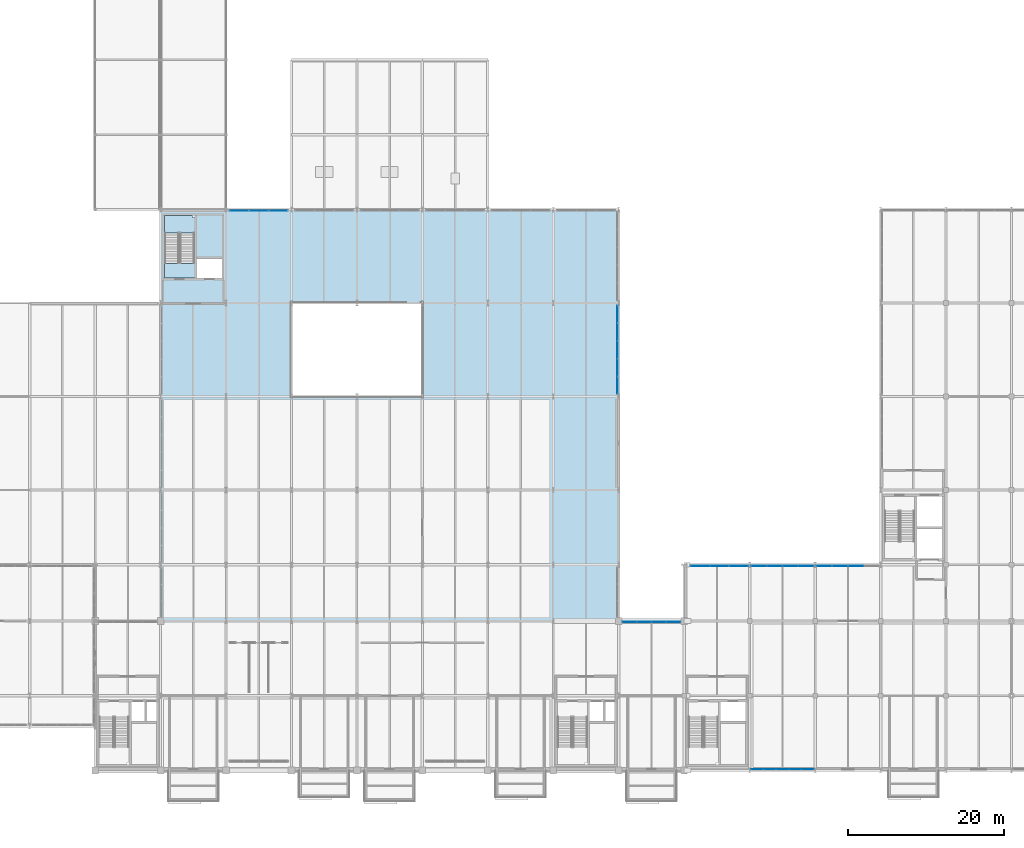
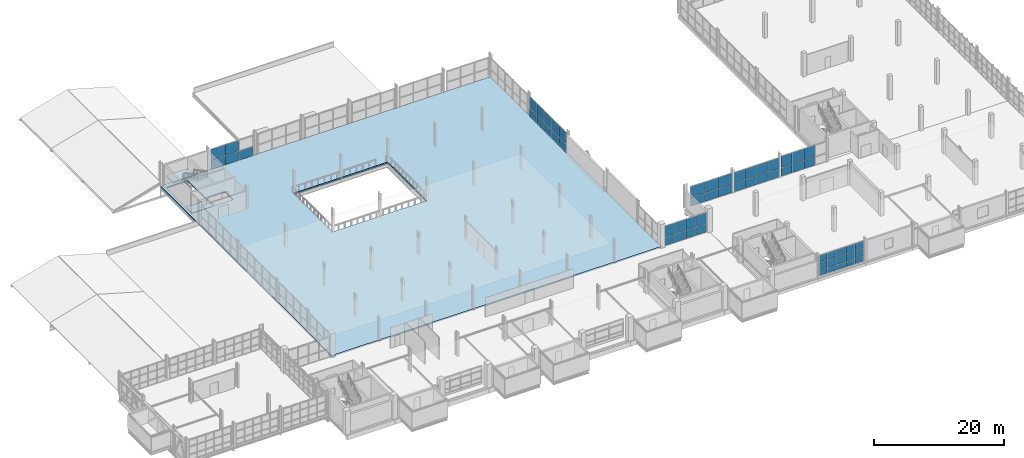
# One storey, part 108 of 130: 58 plates, 3 slabs, 8 elements without a shape of their own.
"""IFC4 building model written with IfcOpenShell, lengths in metres."""

from ifc_helpers import new_model, si_unit, direction, frame, origin, origin_2d, place, context, subcontext, project, spatial, polyline, rectangle, outline, extrude, material, layer, layer_set, type_object, element, aggregate, save


model = new_model("IFC4")

# Units and contexts
model_context = context("Model", 3, precision=1e-05, world=origin(), true_north=direction((0.0, 1.0)))
body_context = subcontext(model_context, "Body", "Model", "MODEL_VIEW")
ifc_project = project(units=[si_unit("LENGTHUNIT", "METRE"), si_unit("AREAUNIT", "SQUARE_METRE"), si_unit("VOLUMEUNIT", "CUBIC_METRE"), si_unit("PLANEANGLEUNIT", "RADIAN"), si_unit("MASSUNIT", "GRAM", prefix="KILO")], contexts=[model_context])

# Site, building, storey
site_placement = place(None, origin())
site = spatial("IfcSite", under=ifc_project, at=site_placement, CompositionType="ELEMENT")
building_placement = place(site_placement, origin())
building = spatial("IfcBuilding", under=site, at=building_placement, Name="Veltarok Museum of Natural Sciences", CompositionType="ELEMENT")
storey_placement = place(building_placement, frame((0.0, 0.0, 12.89990234375)))
storey = spatial("IfcBuildingStorey", under=building, at=storey_placement, Name="L02", CompositionType="ELEMENT", Elevation=12.89990234375)

# Slab
ifc_material_1 = material(Name="Concrete C35/45", Category="concrete")
ifc_layer_1 = layer(ifc_material_1, 0.199951171875)
ifc_layer_set_1 = layer_set([ifc_layer_1], Name="Concrete C35/45")
slab_type_1 = type_object("IfcSlabType", Name="Protected Stair Intermediate Landing Slab 200", PredefinedType="LANDING", material=ifc_layer_set_1)
slab_1_placement = place(storey_placement, frame((0.0, 0.0, -0.199951171875)))
element("IfcSlab", 1, at=slab_1_placement, inside=storey, type_object=slab_type_1, Name="Stairwell Floor Landing ST-03 L02", PredefinedType="LANDING", context=body_context, shape_type="SweptSolid", body=[
    extrude(outline(polyline([(40.510009765625, 63.179931640625), (44.389892578125, 63.179931640625), (44.389892578125, 65.10009765625), (40.510009765625, 65.10009765625), (40.510009765625, 63.179931640625)])), origin(), (0.0, 0.0, 1.0), 0.199951171875),
])

# Stair, slab
ifc_material_2 = material(Name="Precast concrete C40/50", Category="concrete")
stair_type = type_object("IfcStairType", Name="Protected Half-Turn Escape Stair H4500", PredefinedType="HALF_TURN_STAIR", material=ifc_material_2)
stair_placement = place(storey_placement, origin())
stair = element("IfcStair", 2, at=stair_placement, inside=storey, type_object=stair_type, Name="Protected Escape Stair ST-03-L02", PredefinedType="HALF_TURN_STAIR")
slab_2_placement = place(storey_placement, frame((0.0, 0.0, 2.050048828125)))
slab_2 = element("IfcSlab", 3, at=slab_2_placement, type_object=slab_type_1, Name="ST-03-L02 landing 1", PredefinedType="LANDING", context=body_context, shape_type="SweptSolid", body=[
    extrude(outline(polyline([(40.510009765625, 69.0), (44.389892578125, 69.0), (44.389892578125, 70.97998046875), (44.070068359375, 70.97998046875), (44.070068359375, 71.219970703125), (40.510009765625, 71.219970703125), (40.510009765625, 69.0)])), origin(), (0.0, 0.0, 1.0), 0.199951171875),
])
aggregate(stair, [slab_2])

# Slab
ifc_layer_2 = layer(ifc_material_1, 0.25)
ifc_layer_set_2 = layer_set([ifc_layer_2], Name="Concrete C35/45")
slab_type_2 = type_object("IfcSlabType", Name="Suspended Museum Floor Slab 250", PredefinedType="FLOOR", material=ifc_layer_set_2)
slab_3_placement = place(storey_placement, frame((0.0, 0.0, -0.25)))
element("IfcSlab", 4, at=slab_3_placement, inside=storey, type_object=slab_type_2, Name="Floor Slab L02 V2", PredefinedType="FLOOR", context=body_context, shape_type="SweptSolid", body=[
    extrude(outline(polyline([(40.0, 19.199951171875), (40.0, 72.0), (98.800048828125, 72.0), (98.800048828125, 19.199951171875), (40.0, 19.199951171875)]), holes=[polyline([(73.60009765625, 60.0), (56.800048828125, 60.0), (56.800048828125, 48.0), (73.60009765625, 48.0), (73.60009765625, 60.0)]), polyline([(47.8701171875, 65.699951171875), (44.669921875, 65.699951171875), (44.669921875, 63.199951171875), (47.8701171875, 63.199951171875), (47.8701171875, 65.699951171875)]), polyline([(44.3701171875, 71.199951171875), (40.530029296875, 71.199951171875), (40.530029296875, 63.199951171875), (44.3701171875, 63.199951171875), (44.3701171875, 71.199951171875)])]), origin(), (0.0, 0.0, 1.0), 0.25),
])

# Curtain wall, plates
ifc_material_3 = material(Name="Low-iron triple insulated glass", Category="glass")
curtain_wall_type_1 = type_object("IfcCurtainWallType", Name="Curtain Wall System CW-V2N-L02-6-756x388 (V2 North Hall L02 6-7 756x388cm)", PredefinedType="NOTDEFINED", material=ifc_material_3)
curtain_wall_1_placement = place(storey_placement, origin())
curtain_wall_1 = element("IfcCurtainWall", 5, at=curtain_wall_1_placement, inside=storey, type_object=curtain_wall_type_1, Name="Curtain Wall CW-V2N-L02-6-756x388 CW-0049", PredefinedType="NOTDEFINED")
ifc_layer_3 = layer(ifc_material_3, 0.028076171875)
ifc_layer_set_3 = layer_set([ifc_layer_3], Name="Low-iron triple insulated glass")
plate_type = type_object("IfcPlateType", Name="Triple Low-Iron Glazed Vision Panel 28", PredefinedType="CURTAIN_PANEL", material=ifc_layer_set_3)
plate_1_placement = place(storey_placement, frame((55.10498046875, 71.85009765625, 0.06005859375), z_axis=(0.0, 0.0, 1.0), x_axis=(-1.0, 0.0, 0.0)))
plate_1 = element("IfcPlate", 6, at=plate_1_placement, type_object=plate_type, Name="CW-V2N-L02-6-756x388 panel 1.1", PredefinedType="CURTAIN_PANEL", context=body_context, shape_type="SweptSolid", body=[
    extrude(rectangle(XDim=2.429931640625, YDim=0.028076171875, at=origin_2d()), origin(), (0.0, 0.0, 1.0), 1.7099609375),
])
plate_2_placement = place(storey_placement, frame((52.60009765625, 71.85009765625, 0.06005859375), z_axis=(0.0, 0.0, 1.0), x_axis=(-1.0, 0.0, 0.0)))
plate_2 = element("IfcPlate", 7, at=plate_2_placement, type_object=plate_type, Name="CW-V2N-L02-6-756x388 panel 2.1", PredefinedType="CURTAIN_PANEL", context=body_context, shape_type="SweptSolid", body=[
    extrude(rectangle(XDim=2.4599609375, YDim=0.028076171875, at=origin_2d()), origin(), (0.0, 0.0, 1.0), 1.7099609375),
])
plate_3_placement = place(storey_placement, frame((52.60009765625, 71.85009765625, 1.830078125), z_axis=(0.0, 0.0, 1.0), x_axis=(-1.0, 0.0, 0.0)))
plate_3 = element("IfcPlate", 8, at=plate_3_placement, type_object=plate_type, Name="CW-V2N-L02-6-756x388 panel 2.2", PredefinedType="CURTAIN_PANEL", context=body_context, shape_type="SweptSolid", body=[
    extrude(rectangle(XDim=2.4599609375, YDim=0.028076171875, at=origin_2d()), origin(), (0.0, 0.0, 1.0), 1.989990234375),
])
plate_4_placement = place(storey_placement, frame((50.094970703125, 71.85009765625, 0.06005859375), z_axis=(0.0, 0.0, 1.0), x_axis=(-1.0, 0.0, 0.0)))
plate_4 = element("IfcPlate", 9, at=plate_4_placement, type_object=plate_type, Name="CW-V2N-L02-6-756x388 panel 3.1", PredefinedType="CURTAIN_PANEL", context=body_context, shape_type="SweptSolid", body=[
    extrude(rectangle(XDim=2.429931640625, YDim=0.028076171875, at=origin_2d()), origin(), (0.0, 0.0, 1.0), 1.7099609375),
])
plate_5_placement = place(storey_placement, frame((50.094970703125, 71.85009765625, 1.830078125), z_axis=(0.0, 0.0, 1.0), x_axis=(-1.0, 0.0, 0.0)))
plate_5 = element("IfcPlate", 10, at=plate_5_placement, type_object=plate_type, Name="CW-V2N-L02-6-756x388 panel 3.2", PredefinedType="CURTAIN_PANEL", context=body_context, shape_type="SweptSolid", body=[
    extrude(rectangle(XDim=2.429931640625, YDim=0.028076171875, at=origin_2d()), origin(), (0.0, 0.0, 1.0), 1.989990234375),
])
aggregate(curtain_wall_1, [plate_1, plate_2, plate_3, plate_4, plate_5])

curtain_wall_type_2 = type_object("IfcCurtainWallType", Name="Curtain Wall System CW-V5S-L02-14-810x388 (V5 South Lab Curtain Wall L02 14-15 810x388cm)", PredefinedType="NOTDEFINED", material=ifc_material_3)
curtain_wall_2_placement = place(storey_placement, origin())
curtain_wall_2 = element("IfcCurtainWall", 11, at=curtain_wall_2_placement, inside=storey, type_object=curtain_wall_type_2, Name="Curtain Wall CW-V5S-L02-14-810x388 CW-0092", PredefinedType="NOTDEFINED")
plate_6_placement = place(storey_placement, frame((116.574951171875, 0.159912109375, 0.06005859375), z_axis=(0.0, 0.0, 1.0), x_axis=(1.0, 0.0, 0.0)))
plate_6 = element("IfcPlate", 12, at=plate_6_placement, type_object=plate_type, Name="CW-V5S-L02-14-810x388 panel 1.1", PredefinedType="CURTAIN_PANEL", context=body_context, shape_type="SweptSolid", body=[
    extrude(rectangle(XDim=1.530029296875, YDim=0.028076171875, at=origin_2d()), origin(), (0.0, 0.0, 1.0), 0.909912109375),
])
plate_7_placement = place(storey_placement, frame((116.574951171875, 0.159912109375, 1.030029296875), z_axis=(0.0, 0.0, 1.0), x_axis=(1.0, 0.0, 0.0)))
plate_7 = element("IfcPlate", 13, at=plate_7_placement, type_object=plate_type, Name="CW-V5S-L02-14-810x388 panel 1.2", PredefinedType="CURTAIN_PANEL", context=body_context, shape_type="SweptSolid", body=[
    extrude(rectangle(XDim=1.530029296875, YDim=0.028076171875, at=origin_2d()), origin(), (0.0, 0.0, 1.0), 1.43994140625),
])
plate_8_placement = place(storey_placement, frame((116.574951171875, 0.159912109375, 2.530029296875), z_axis=(0.0, 0.0, 1.0), x_axis=(1.0, 0.0, 0.0)))
plate_8 = element("IfcPlate", 14, at=plate_8_placement, type_object=plate_type, Name="CW-V5S-L02-14-810x388 panel 1.3", PredefinedType="CURTAIN_PANEL", context=body_context, shape_type="SweptSolid", body=[
    extrude(rectangle(XDim=1.530029296875, YDim=0.028076171875, at=origin_2d()), origin(), (0.0, 0.0, 1.0), 1.2900390625),
])
plate_9_placement = place(storey_placement, frame((118.179931640625, 0.159912109375, 0.06005859375), z_axis=(0.0, 0.0, 1.0), x_axis=(1.0, 0.0, 0.0)))
plate_9 = element("IfcPlate", 15, at=plate_9_placement, type_object=plate_type, Name="CW-V5S-L02-14-810x388 panel 2.1", PredefinedType="CURTAIN_PANEL", context=body_context, shape_type="SweptSolid", body=[
    extrude(rectangle(XDim=1.56005859375, YDim=0.028076171875, at=origin_2d()), origin(), (0.0, 0.0, 1.0), 0.909912109375),
])
plate_10_placement = place(storey_placement, frame((118.179931640625, 0.159912109375, 1.030029296875), z_axis=(0.0, 0.0, 1.0), x_axis=(1.0, 0.0, 0.0)))
plate_10 = element("IfcPlate", 16, at=plate_10_placement, type_object=plate_type, Name="CW-V5S-L02-14-810x388 panel 2.2", PredefinedType="CURTAIN_PANEL", context=body_context, shape_type="SweptSolid", body=[
    extrude(rectangle(XDim=1.56005859375, YDim=0.028076171875, at=origin_2d()), origin(), (0.0, 0.0, 1.0), 1.43994140625),
])
plate_11_placement = place(storey_placement, frame((118.179931640625, 0.159912109375, 2.530029296875), z_axis=(0.0, 0.0, 1.0), x_axis=(1.0, 0.0, 0.0)))
plate_11 = element("IfcPlate", 17, at=plate_11_placement, type_object=plate_type, Name="CW-V5S-L02-14-810x388 panel 2.3", PredefinedType="CURTAIN_PANEL", context=body_context, shape_type="SweptSolid", body=[
    extrude(rectangle(XDim=1.56005859375, YDim=0.028076171875, at=origin_2d()), origin(), (0.0, 0.0, 1.0), 1.2900390625),
])
plate_12_placement = place(storey_placement, frame((119.800048828125, 0.159912109375, 0.06005859375), z_axis=(0.0, 0.0, 1.0), x_axis=(1.0, 0.0, 0.0)))
plate_12 = element("IfcPlate", 18, at=plate_12_placement, type_object=plate_type, Name="CW-V5S-L02-14-810x388 panel 3.1", PredefinedType="CURTAIN_PANEL", context=body_context, shape_type="SweptSolid", body=[
    extrude(rectangle(XDim=1.56005859375, YDim=0.028076171875, at=origin_2d()), origin(), (0.0, 0.0, 1.0), 0.909912109375),
])
plate_13_placement = place(storey_placement, frame((119.800048828125, 0.159912109375, 1.030029296875), z_axis=(0.0, 0.0, 1.0), x_axis=(1.0, 0.0, 0.0)))
plate_13 = element("IfcPlate", 19, at=plate_13_placement, type_object=plate_type, Name="CW-V5S-L02-14-810x388 panel 3.2", PredefinedType="CURTAIN_PANEL", context=body_context, shape_type="SweptSolid", body=[
    extrude(rectangle(XDim=1.56005859375, YDim=0.028076171875, at=origin_2d()), origin(), (0.0, 0.0, 1.0), 1.43994140625),
])
plate_14_placement = place(storey_placement, frame((119.800048828125, 0.159912109375, 2.530029296875), z_axis=(0.0, 0.0, 1.0), x_axis=(1.0, 0.0, 0.0)))
plate_14 = element("IfcPlate", 20, at=plate_14_placement, type_object=plate_type, Name="CW-V5S-L02-14-810x388 panel 3.3", PredefinedType="CURTAIN_PANEL", context=body_context, shape_type="SweptSolid", body=[
    extrude(rectangle(XDim=1.56005859375, YDim=0.028076171875, at=origin_2d()), origin(), (0.0, 0.0, 1.0), 1.2900390625),
])
plate_15_placement = place(storey_placement, frame((121.419921875, 0.159912109375, 0.06005859375), z_axis=(0.0, 0.0, 1.0), x_axis=(1.0, 0.0, 0.0)))
plate_15 = element("IfcPlate", 21, at=plate_15_placement, type_object=plate_type, Name="CW-V5S-L02-14-810x388 panel 4.1", PredefinedType="CURTAIN_PANEL", context=body_context, shape_type="SweptSolid", body=[
    extrude(rectangle(XDim=1.56005859375, YDim=0.028076171875, at=origin_2d()), origin(), (0.0, 0.0, 1.0), 0.909912109375),
])
plate_16_placement = place(storey_placement, frame((121.419921875, 0.159912109375, 1.030029296875), z_axis=(0.0, 0.0, 1.0), x_axis=(1.0, 0.0, 0.0)))
plate_16 = element("IfcPlate", 22, at=plate_16_placement, type_object=plate_type, Name="CW-V5S-L02-14-810x388 panel 4.2", PredefinedType="CURTAIN_PANEL", context=body_context, shape_type="SweptSolid", body=[
    extrude(rectangle(XDim=1.56005859375, YDim=0.028076171875, at=origin_2d()), origin(), (0.0, 0.0, 1.0), 1.43994140625),
])
plate_17_placement = place(storey_placement, frame((121.419921875, 0.159912109375, 2.530029296875), z_axis=(0.0, 0.0, 1.0), x_axis=(1.0, 0.0, 0.0)))
plate_17 = element("IfcPlate", 23, at=plate_17_placement, type_object=plate_type, Name="CW-V5S-L02-14-810x388 panel 4.3", PredefinedType="CURTAIN_PANEL", context=body_context, shape_type="SweptSolid", body=[
    extrude(rectangle(XDim=1.56005859375, YDim=0.028076171875, at=origin_2d()), origin(), (0.0, 0.0, 1.0), 1.2900390625),
])
plate_18_placement = place(storey_placement, frame((123.02490234375, 0.159912109375, 0.06005859375), z_axis=(0.0, 0.0, 1.0), x_axis=(1.0, 0.0, 0.0)))
plate_18 = element("IfcPlate", 24, at=plate_18_placement, type_object=plate_type, Name="CW-V5S-L02-14-810x388 panel 5.1", PredefinedType="CURTAIN_PANEL", context=body_context, shape_type="SweptSolid", body=[
    extrude(rectangle(XDim=1.530029296875, YDim=0.028076171875, at=origin_2d()), origin(), (0.0, 0.0, 1.0), 0.909912109375),
])
plate_19_placement = place(storey_placement, frame((123.02490234375, 0.159912109375, 1.030029296875), z_axis=(0.0, 0.0, 1.0), x_axis=(1.0, 0.0, 0.0)))
plate_19 = element("IfcPlate", 25, at=plate_19_placement, type_object=plate_type, Name="CW-V5S-L02-14-810x388 panel 5.2", PredefinedType="CURTAIN_PANEL", context=body_context, shape_type="SweptSolid", body=[
    extrude(rectangle(XDim=1.530029296875, YDim=0.028076171875, at=origin_2d()), origin(), (0.0, 0.0, 1.0), 1.43994140625),
])
plate_20_placement = place(storey_placement, frame((123.02490234375, 0.159912109375, 2.530029296875), z_axis=(0.0, 0.0, 1.0), x_axis=(1.0, 0.0, 0.0)))
plate_20 = element("IfcPlate", 26, at=plate_20_placement, type_object=plate_type, Name="CW-V5S-L02-14-810x388 panel 5.3", PredefinedType="CURTAIN_PANEL", context=body_context, shape_type="SweptSolid", body=[
    extrude(rectangle(XDim=1.530029296875, YDim=0.028076171875, at=origin_2d()), origin(), (0.0, 0.0, 1.0), 1.2900390625),
])
aggregate(curtain_wall_2, [plate_6, plate_7, plate_8, plate_9, plate_10, plate_11, plate_12, plate_13, plate_14, plate_15, plate_16, plate_17, plate_18, plate_19, plate_20])

curtain_wall_type_3 = type_object("IfcCurtainWallType", Name="Curtain Wall System CW-V2E-L02-0-1140x388 (CW-V2E L02 1140x388cm)", PredefinedType="NOTDEFINED", material=ifc_material_3)
curtain_wall_3_placement = place(storey_placement, origin())
curtain_wall_3 = element("IfcCurtainWall", 27, at=curtain_wall_3_placement, inside=storey, type_object=curtain_wall_type_3, Name="Curtain Wall CW-V2E-L02-0-1140x388 CW-0132", PredefinedType="NOTDEFINED")
plate_21_placement = place(storey_placement, frame((98.64990234375, 49.455078125, 0.05810546875), z_axis=(0.0, 0.0, 1.0), x_axis=(0.0, 1.0, 0.0)))
plate_21 = element("IfcPlate", 28, at=plate_21_placement, type_object=plate_type, Name="CW-V2E-L02-0-1140x388 panel 1.1", PredefinedType="CURTAIN_PANEL", context=body_context, shape_type="SweptSolid", body=[
    extrude(rectangle(XDim=2.18994140625, YDim=0.028076171875, at=origin_2d()), origin(), (0.0, 0.0, 1.0), 1.56005859375),
])
plate_22_placement = place(storey_placement, frame((98.64990234375, 49.455078125, 1.677978515625), z_axis=(0.0, 0.0, 1.0), x_axis=(0.0, 1.0, 0.0)))
plate_22 = element("IfcPlate", 29, at=plate_22_placement, type_object=plate_type, Name="CW-V2E-L02-0-1140x388 panel 1.2", PredefinedType="CURTAIN_PANEL", context=body_context, shape_type="SweptSolid", body=[
    extrude(rectangle(XDim=2.18994140625, YDim=0.028076171875, at=origin_2d()), origin(), (0.0, 0.0, 1.0), 2.14208984375),
])
plate_23_placement = place(storey_placement, frame((98.64990234375, 51.719970703125, 0.05810546875), z_axis=(0.0, 0.0, 1.0), x_axis=(0.0, 1.0, 0.0)))
plate_23 = element("IfcPlate", 30, at=plate_23_placement, type_object=plate_type, Name="CW-V2E-L02-0-1140x388 panel 2.1", PredefinedType="CURTAIN_PANEL", context=body_context, shape_type="SweptSolid", body=[
    extrude(rectangle(XDim=2.219970703125, YDim=0.028076171875, at=origin_2d()), origin(), (0.0, 0.0, 1.0), 1.56005859375),
])
plate_24_placement = place(storey_placement, frame((98.64990234375, 51.719970703125, 1.677978515625), z_axis=(0.0, 0.0, 1.0), x_axis=(0.0, 1.0, 0.0)))
plate_24 = element("IfcPlate", 31, at=plate_24_placement, type_object=plate_type, Name="CW-V2E-L02-0-1140x388 panel 2.2", PredefinedType="CURTAIN_PANEL", context=body_context, shape_type="SweptSolid", body=[
    extrude(rectangle(XDim=2.219970703125, YDim=0.028076171875, at=origin_2d()), origin(), (0.0, 0.0, 1.0), 2.14208984375),
])
plate_25_placement = place(storey_placement, frame((98.64990234375, 54.0, 0.05810546875), z_axis=(0.0, 0.0, 1.0), x_axis=(0.0, 1.0, 0.0)))
plate_25 = element("IfcPlate", 32, at=plate_25_placement, type_object=plate_type, Name="CW-V2E-L02-0-1140x388 panel 3.1", PredefinedType="CURTAIN_PANEL", context=body_context, shape_type="SweptSolid", body=[
    extrude(rectangle(XDim=2.219970703125, YDim=0.028076171875, at=origin_2d()), origin(), (0.0, 0.0, 1.0), 1.56005859375),
])
plate_26_placement = place(storey_placement, frame((98.64990234375, 54.0, 1.677978515625), z_axis=(0.0, 0.0, 1.0), x_axis=(0.0, 1.0, 0.0)))
plate_26 = element("IfcPlate", 33, at=plate_26_placement, type_object=plate_type, Name="CW-V2E-L02-0-1140x388 panel 3.2", PredefinedType="CURTAIN_PANEL", context=body_context, shape_type="SweptSolid", body=[
    extrude(rectangle(XDim=2.219970703125, YDim=0.028076171875, at=origin_2d()), origin(), (0.0, 0.0, 1.0), 2.14208984375),
])
plate_27_placement = place(storey_placement, frame((98.64990234375, 56.280029296875, 0.05810546875), z_axis=(0.0, 0.0, 1.0), x_axis=(0.0, 1.0, 0.0)))
plate_27 = element("IfcPlate", 34, at=plate_27_placement, type_object=plate_type, Name="CW-V2E-L02-0-1140x388 panel 4.1", PredefinedType="CURTAIN_PANEL", context=body_context, shape_type="SweptSolid", body=[
    extrude(rectangle(XDim=2.219970703125, YDim=0.028076171875, at=origin_2d()), origin(), (0.0, 0.0, 1.0), 1.56005859375),
])
plate_28_placement = place(storey_placement, frame((98.64990234375, 56.280029296875, 1.677978515625), z_axis=(0.0, 0.0, 1.0), x_axis=(0.0, 1.0, 0.0)))
plate_28 = element("IfcPlate", 35, at=plate_28_placement, type_object=plate_type, Name="CW-V2E-L02-0-1140x388 panel 4.2", PredefinedType="CURTAIN_PANEL", context=body_context, shape_type="SweptSolid", body=[
    extrude(rectangle(XDim=2.219970703125, YDim=0.028076171875, at=origin_2d()), origin(), (0.0, 0.0, 1.0), 2.14208984375),
])
plate_29_placement = place(storey_placement, frame((98.64990234375, 58.544921875, 0.05810546875), z_axis=(0.0, 0.0, 1.0), x_axis=(0.0, 1.0, 0.0)))
plate_29 = element("IfcPlate", 36, at=plate_29_placement, type_object=plate_type, Name="CW-V2E-L02-0-1140x388 panel 5.1", PredefinedType="CURTAIN_PANEL", context=body_context, shape_type="SweptSolid", body=[
    extrude(rectangle(XDim=2.18994140625, YDim=0.028076171875, at=origin_2d()), origin(), (0.0, 0.0, 1.0), 1.56005859375),
])
plate_30_placement = place(storey_placement, frame((98.64990234375, 58.544921875, 1.677978515625), z_axis=(0.0, 0.0, 1.0), x_axis=(0.0, 1.0, 0.0)))
plate_30 = element("IfcPlate", 37, at=plate_30_placement, type_object=plate_type, Name="CW-V2E-L02-0-1140x388 panel 5.2", PredefinedType="CURTAIN_PANEL", context=body_context, shape_type="SweptSolid", body=[
    extrude(rectangle(XDim=2.18994140625, YDim=0.028076171875, at=origin_2d()), origin(), (0.0, 0.0, 1.0), 2.14208984375),
])
aggregate(curtain_wall_3, [plate_21, plate_22, plate_23, plate_24, plate_25, plate_26, plate_27, plate_28, plate_29, plate_30])

curtain_wall_type_4 = type_object("IfcCurtainWallType", Name="Curtain Wall System CW-V1CN-L02-2-755x378 (CW-V1CN L02 755x378cm)", PredefinedType="NOTDEFINED", material=ifc_material_3)
curtain_wall_4_placement = place(storey_placement, origin())
curtain_wall_4 = element("IfcCurtainWall", 38, at=curtain_wall_4_placement, inside=storey, type_object=curtain_wall_type_4, Name="Curtain Wall CW-V1CN-L02-2-755x378 CW-0158", PredefinedType="NOTDEFINED")
plate_31_placement = place(storey_placement, frame((105.816162109375, 19.050048828125, 0.05810546875), z_axis=(0.0, 0.0, 1.0), x_axis=(-1.0, 0.0, 0.0)))
plate_31 = element("IfcPlate", 39, at=plate_31_placement, type_object=plate_type, Name="CW-V1CN-L02-2-755x378 panel 1.1", PredefinedType="CURTAIN_PANEL", context=body_context, shape_type="SweptSolid", body=[
    extrude(rectangle(XDim=1.797607421875, YDim=0.028076171875, at=origin_2d()), origin(), (0.0, 0.0, 1.0), 1.56005859375),
])
plate_32_placement = place(storey_placement, frame((105.816162109375, 19.050048828125, 1.67822265625), z_axis=(0.0, 0.0, 1.0), x_axis=(-1.0, 0.0, 0.0)))
plate_32 = element("IfcPlate", 40, at=plate_32_placement, type_object=plate_type, Name="CW-V1CN-L02-2-755x378 panel 1.2", PredefinedType="CURTAIN_PANEL", context=body_context, shape_type="SweptSolid", body=[
    extrude(rectangle(XDim=1.797607421875, YDim=0.028076171875, at=origin_2d()), origin(), (0.0, 0.0, 1.0), 2.0419921875),
])
plate_33_placement = place(storey_placement, frame((103.94384765625, 19.050048828125, 0.05810546875), z_axis=(0.0, 0.0, 1.0), x_axis=(-1.0, 0.0, 0.0)))
plate_33 = element("IfcPlate", 41, at=plate_33_placement, type_object=plate_type, Name="CW-V1CN-L02-2-755x378 panel 2.1", PredefinedType="CURTAIN_PANEL", context=body_context, shape_type="SweptSolid", body=[
    extrude(rectangle(XDim=1.827392578125, YDim=0.028076171875, at=origin_2d()), origin(), (0.0, 0.0, 1.0), 1.56005859375),
])
plate_34_placement = place(storey_placement, frame((103.94384765625, 19.050048828125, 1.67822265625), z_axis=(0.0, 0.0, 1.0), x_axis=(-1.0, 0.0, 0.0)))
plate_34 = element("IfcPlate", 42, at=plate_34_placement, type_object=plate_type, Name="CW-V1CN-L02-2-755x378 panel 2.2", PredefinedType="CURTAIN_PANEL", context=body_context, shape_type="SweptSolid", body=[
    extrude(rectangle(XDim=1.827392578125, YDim=0.028076171875, at=origin_2d()), origin(), (0.0, 0.0, 1.0), 2.0419921875),
])
plate_35_placement = place(storey_placement, frame((102.05615234375, 19.050048828125, 0.05810546875), z_axis=(0.0, 0.0, 1.0), x_axis=(-1.0, 0.0, 0.0)))
plate_35 = element("IfcPlate", 43, at=plate_35_placement, type_object=plate_type, Name="CW-V1CN-L02-2-755x378 panel 3.1", PredefinedType="CURTAIN_PANEL", context=body_context, shape_type="SweptSolid", body=[
    extrude(rectangle(XDim=1.827392578125, YDim=0.028076171875, at=origin_2d()), origin(), (0.0, 0.0, 1.0), 1.56005859375),
])
plate_36_placement = place(storey_placement, frame((102.05615234375, 19.050048828125, 1.67822265625), z_axis=(0.0, 0.0, 1.0), x_axis=(-1.0, 0.0, 0.0)))
plate_36 = element("IfcPlate", 44, at=plate_36_placement, type_object=plate_type, Name="CW-V1CN-L02-2-755x378 panel 3.2", PredefinedType="CURTAIN_PANEL", context=body_context, shape_type="SweptSolid", body=[
    extrude(rectangle(XDim=1.827392578125, YDim=0.028076171875, at=origin_2d()), origin(), (0.0, 0.0, 1.0), 2.0419921875),
])
plate_37_placement = place(storey_placement, frame((100.183837890625, 19.050048828125, 0.05810546875), z_axis=(0.0, 0.0, 1.0), x_axis=(-1.0, 0.0, 0.0)))
plate_37 = element("IfcPlate", 45, at=plate_37_placement, type_object=plate_type, Name="CW-V1CN-L02-2-755x378 panel 4.1", PredefinedType="CURTAIN_PANEL", context=body_context, shape_type="SweptSolid", body=[
    extrude(rectangle(XDim=1.797607421875, YDim=0.028076171875, at=origin_2d()), origin(), (0.0, 0.0, 1.0), 1.56005859375),
])
plate_38_placement = place(storey_placement, frame((100.183837890625, 19.050048828125, 1.67822265625), z_axis=(0.0, 0.0, 1.0), x_axis=(-1.0, 0.0, 0.0)))
plate_38 = element("IfcPlate", 46, at=plate_38_placement, type_object=plate_type, Name="CW-V1CN-L02-2-755x378 panel 4.2", PredefinedType="CURTAIN_PANEL", context=body_context, shape_type="SweptSolid", body=[
    extrude(rectangle(XDim=1.797607421875, YDim=0.028076171875, at=origin_2d()), origin(), (0.0, 0.0, 1.0), 2.0419921875),
])
aggregate(curtain_wall_4, [plate_31, plate_32, plate_33, plate_34, plate_35, plate_36, plate_37, plate_38])

curtain_wall_type_5 = type_object("IfcCurtainWallType", Name="Curtain Wall System CW-V5CN-L02-2-747x378 (CW-V5CN L02 747x378cm)", PredefinedType="NOTDEFINED", material=ifc_material_3)
curtain_wall_5_placement = place(storey_placement, origin())
curtain_wall_5 = element("IfcCurtainWall", 47, at=curtain_wall_5_placement, inside=storey, type_object=curtain_wall_type_5, Name="Curtain Wall CW-V5CN-L02-2-747x378 CW-0190", PredefinedType="NOTDEFINED")
plate_39_placement = place(storey_placement, frame((114.18994140625, 26.25, 0.05810546875), z_axis=(0.0, 0.0, 1.0), x_axis=(-1.0, 0.0, 0.0)))
plate_39 = element("IfcPlate", 48, at=plate_39_placement, type_object=plate_type, Name="CW-V5CN-L02-2-747x378 panel 1.1", PredefinedType="CURTAIN_PANEL", context=body_context, shape_type="SweptSolid", body=[
    extrude(rectangle(XDim=2.39990234375, YDim=0.028076171875, at=origin_2d()), origin(), (0.0, 0.0, 1.0), 1.56005859375),
])
plate_40_placement = place(storey_placement, frame((114.18994140625, 26.25, 1.67822265625), z_axis=(0.0, 0.0, 1.0), x_axis=(-1.0, 0.0, 0.0)))
plate_40 = element("IfcPlate", 49, at=plate_40_placement, type_object=plate_type, Name="CW-V5CN-L02-2-747x378 panel 1.2", PredefinedType="CURTAIN_PANEL", context=body_context, shape_type="SweptSolid", body=[
    extrude(rectangle(XDim=2.39990234375, YDim=0.028076171875, at=origin_2d()), origin(), (0.0, 0.0, 1.0), 2.0419921875),
])
plate_41_placement = place(storey_placement, frame((111.715087890625, 26.25, 0.05810546875), z_axis=(0.0, 0.0, 1.0), x_axis=(-1.0, 0.0, 0.0)))
plate_41 = element("IfcPlate", 50, at=plate_41_placement, type_object=plate_type, Name="CW-V5CN-L02-2-747x378 panel 2.1", PredefinedType="CURTAIN_PANEL", context=body_context, shape_type="SweptSolid", body=[
    extrude(rectangle(XDim=2.429931640625, YDim=0.028076171875, at=origin_2d()), origin(), (0.0, 0.0, 1.0), 1.56005859375),
])
plate_42_placement = place(storey_placement, frame((111.715087890625, 26.25, 1.67822265625), z_axis=(0.0, 0.0, 1.0), x_axis=(-1.0, 0.0, 0.0)))
plate_42 = element("IfcPlate", 51, at=plate_42_placement, type_object=plate_type, Name="CW-V5CN-L02-2-747x378 panel 2.2", PredefinedType="CURTAIN_PANEL", context=body_context, shape_type="SweptSolid", body=[
    extrude(rectangle(XDim=2.429931640625, YDim=0.028076171875, at=origin_2d()), origin(), (0.0, 0.0, 1.0), 2.0419921875),
])
plate_43_placement = place(storey_placement, frame((109.239990234375, 26.25, 0.05810546875), z_axis=(0.0, 0.0, 1.0), x_axis=(-1.0, 0.0, 0.0)))
plate_43 = element("IfcPlate", 52, at=plate_43_placement, type_object=plate_type, Name="CW-V5CN-L02-2-747x378 panel 3.1", PredefinedType="CURTAIN_PANEL", context=body_context, shape_type="SweptSolid", body=[
    extrude(rectangle(XDim=2.39990234375, YDim=0.028076171875, at=origin_2d()), origin(), (0.0, 0.0, 1.0), 1.56005859375),
])
plate_44_placement = place(storey_placement, frame((109.239990234375, 26.25, 1.67822265625), z_axis=(0.0, 0.0, 1.0), x_axis=(-1.0, 0.0, 0.0)))
plate_44 = element("IfcPlate", 53, at=plate_44_placement, type_object=plate_type, Name="CW-V5CN-L02-2-747x378 panel 3.2", PredefinedType="CURTAIN_PANEL", context=body_context, shape_type="SweptSolid", body=[
    extrude(rectangle(XDim=2.39990234375, YDim=0.028076171875, at=origin_2d()), origin(), (0.0, 0.0, 1.0), 2.0419921875),
])
aggregate(curtain_wall_5, [plate_39, plate_40, plate_41, plate_42, plate_43, plate_44])

curtain_wall_type_6 = type_object("IfcCurtainWallType", Name="Curtain Wall System CW-V5CN-L02-3-810x373 (CW-V5CN L02 810x373cm)", PredefinedType="NOTDEFINED", material=ifc_material_3)
curtain_wall_6_placement = place(storey_placement, origin())
curtain_wall_6 = element("IfcCurtainWall", 54, at=curtain_wall_6_placement, inside=storey, type_object=curtain_wall_type_6, Name="Curtain Wall CW-V5CN-L02-3-810x373 CW-0191", PredefinedType="NOTDEFINED")
plate_45_placement = place(storey_placement, frame((122.822509765625, 26.25, 0.05810546875), z_axis=(0.0, 0.0, 1.0), x_axis=(-1.0, 0.0, 0.0)))
plate_45 = element("IfcPlate", 55, at=plate_45_placement, type_object=plate_type, Name="CW-V5CN-L02-3-810x373 panel 1.1", PredefinedType="CURTAIN_PANEL", context=body_context, shape_type="SweptSolid", body=[
    extrude(rectangle(XDim=1.93505859375, YDim=0.028076171875, at=origin_2d()), origin(), (0.0, 0.0, 1.0), 1.56005859375),
])
plate_46_placement = place(storey_placement, frame((122.822509765625, 26.25, 1.67822265625), z_axis=(0.0, 0.0, 1.0), x_axis=(-1.0, 0.0, 0.0)))
plate_46 = element("IfcPlate", 56, at=plate_46_placement, type_object=plate_type, Name="CW-V5CN-L02-3-810x373 panel 1.2", PredefinedType="CURTAIN_PANEL", context=body_context, shape_type="SweptSolid", body=[
    extrude(rectangle(XDim=1.93505859375, YDim=0.028076171875, at=origin_2d()), origin(), (0.0, 0.0, 1.0), 1.991943359375),
])
plate_47_placement = place(storey_placement, frame((120.8125, 26.25, 0.05810546875), z_axis=(0.0, 0.0, 1.0), x_axis=(-1.0, 0.0, 0.0)))
plate_47 = element("IfcPlate", 57, at=plate_47_placement, type_object=plate_type, Name="CW-V5CN-L02-3-810x373 panel 2.1", PredefinedType="CURTAIN_PANEL", context=body_context, shape_type="SweptSolid", body=[
    extrude(rectangle(XDim=1.965087890625, YDim=0.028076171875, at=origin_2d()), origin(), (0.0, 0.0, 1.0), 1.56005859375),
])
plate_48_placement = place(storey_placement, frame((120.8125, 26.25, 1.67822265625), z_axis=(0.0, 0.0, 1.0), x_axis=(-1.0, 0.0, 0.0)))
plate_48 = element("IfcPlate", 58, at=plate_48_placement, type_object=plate_type, Name="CW-V5CN-L02-3-810x373 panel 2.2", PredefinedType="CURTAIN_PANEL", context=body_context, shape_type="SweptSolid", body=[
    extrude(rectangle(XDim=1.965087890625, YDim=0.028076171875, at=origin_2d()), origin(), (0.0, 0.0, 1.0), 1.991943359375),
])
plate_49_placement = place(storey_placement, frame((118.78759765625, 26.25, 0.05810546875), z_axis=(0.0, 0.0, 1.0), x_axis=(-1.0, 0.0, 0.0)))
plate_49 = element("IfcPlate", 59, at=plate_49_placement, type_object=plate_type, Name="CW-V5CN-L02-3-810x373 panel 3.1", PredefinedType="CURTAIN_PANEL", context=body_context, shape_type="SweptSolid", body=[
    extrude(rectangle(XDim=1.965087890625, YDim=0.028076171875, at=origin_2d()), origin(), (0.0, 0.0, 1.0), 1.56005859375),
])
plate_50_placement = place(storey_placement, frame((118.78759765625, 26.25, 1.67822265625), z_axis=(0.0, 0.0, 1.0), x_axis=(-1.0, 0.0, 0.0)))
plate_50 = element("IfcPlate", 60, at=plate_50_placement, type_object=plate_type, Name="CW-V5CN-L02-3-810x373 panel 3.2", PredefinedType="CURTAIN_PANEL", context=body_context, shape_type="SweptSolid", body=[
    extrude(rectangle(XDim=1.965087890625, YDim=0.028076171875, at=origin_2d()), origin(), (0.0, 0.0, 1.0), 1.991943359375),
])
plate_51_placement = place(storey_placement, frame((116.777587890625, 26.25, 0.05810546875), z_axis=(0.0, 0.0, 1.0), x_axis=(-1.0, 0.0, 0.0)))
plate_51 = element("IfcPlate", 61, at=plate_51_placement, type_object=plate_type, Name="CW-V5CN-L02-3-810x373 panel 4.1", PredefinedType="CURTAIN_PANEL", context=body_context, shape_type="SweptSolid", body=[
    extrude(rectangle(XDim=1.93505859375, YDim=0.028076171875, at=origin_2d()), origin(), (0.0, 0.0, 1.0), 1.56005859375),
])
plate_52_placement = place(storey_placement, frame((116.777587890625, 26.25, 1.67822265625), z_axis=(0.0, 0.0, 1.0), x_axis=(-1.0, 0.0, 0.0)))
plate_52 = element("IfcPlate", 62, at=plate_52_placement, type_object=plate_type, Name="CW-V5CN-L02-3-810x373 panel 4.2", PredefinedType="CURTAIN_PANEL", context=body_context, shape_type="SweptSolid", body=[
    extrude(rectangle(XDim=1.93505859375, YDim=0.028076171875, at=origin_2d()), origin(), (0.0, 0.0, 1.0), 1.991943359375),
])
aggregate(curtain_wall_6, [plate_45, plate_46, plate_47, plate_48, plate_49, plate_50, plate_51, plate_52])

curtain_wall_type_7 = type_object("IfcCurtainWallType", Name="Curtain Wall System CW-V5CN-L02-0-810x388 (CW-V5CN L02 810x388cm)", PredefinedType="NOTDEFINED", material=ifc_material_3)
curtain_wall_7_placement = place(storey_placement, origin())
curtain_wall_7 = element("IfcCurtainWall", 63, at=curtain_wall_7_placement, inside=storey, type_object=curtain_wall_type_7, Name="Curtain Wall CW-V5CN-L02-0-810x388 CW-0192", PredefinedType="NOTDEFINED")
plate_53_placement = place(storey_placement, frame((129.21240234375, 26.25, 0.05810546875), z_axis=(0.0, 0.0, 1.0), x_axis=(-1.0, 0.0, 0.0)))
plate_53 = element("IfcPlate", 64, at=plate_53_placement, type_object=plate_type, Name="CW-V5CN-L02-0-810x388 panel 2.1", PredefinedType="CURTAIN_PANEL", context=body_context, shape_type="SweptSolid", body=[
    extrude(rectangle(XDim=1.965087890625, YDim=0.028076171875, at=origin_2d()), origin(), (0.0, 0.0, 1.0), 1.56005859375),
])
plate_54_placement = place(storey_placement, frame((129.21240234375, 26.25, 1.677978515625), z_axis=(0.0, 0.0, 1.0), x_axis=(-1.0, 0.0, 0.0)))
plate_54 = element("IfcPlate", 65, at=plate_54_placement, type_object=plate_type, Name="CW-V5CN-L02-0-810x388 panel 2.2", PredefinedType="CURTAIN_PANEL", context=body_context, shape_type="SweptSolid", body=[
    extrude(rectangle(XDim=1.965087890625, YDim=0.028076171875, at=origin_2d()), origin(), (0.0, 0.0, 1.0), 2.14208984375),
])
plate_55_placement = place(storey_placement, frame((127.1875, 26.25, 0.05810546875), z_axis=(0.0, 0.0, 1.0), x_axis=(-1.0, 0.0, 0.0)))
plate_55 = element("IfcPlate", 66, at=plate_55_placement, type_object=plate_type, Name="CW-V5CN-L02-0-810x388 panel 3.1", PredefinedType="CURTAIN_PANEL", context=body_context, shape_type="SweptSolid", body=[
    extrude(rectangle(XDim=1.965087890625, YDim=0.028076171875, at=origin_2d()), origin(), (0.0, 0.0, 1.0), 1.56005859375),
])
plate_56_placement = place(storey_placement, frame((127.1875, 26.25, 1.677978515625), z_axis=(0.0, 0.0, 1.0), x_axis=(-1.0, 0.0, 0.0)))
plate_56 = element("IfcPlate", 67, at=plate_56_placement, type_object=plate_type, Name="CW-V5CN-L02-0-810x388 panel 3.2", PredefinedType="CURTAIN_PANEL", context=body_context, shape_type="SweptSolid", body=[
    extrude(rectangle(XDim=1.965087890625, YDim=0.028076171875, at=origin_2d()), origin(), (0.0, 0.0, 1.0), 2.14208984375),
])
plate_57_placement = place(storey_placement, frame((125.177490234375, 26.25, 0.05810546875), z_axis=(0.0, 0.0, 1.0), x_axis=(-1.0, 0.0, 0.0)))
plate_57 = element("IfcPlate", 68, at=plate_57_placement, type_object=plate_type, Name="CW-V5CN-L02-0-810x388 panel 4.1", PredefinedType="CURTAIN_PANEL", context=body_context, shape_type="SweptSolid", body=[
    extrude(rectangle(XDim=1.93505859375, YDim=0.028076171875, at=origin_2d()), origin(), (0.0, 0.0, 1.0), 1.56005859375),
])
plate_58_placement = place(storey_placement, frame((125.177490234375, 26.25, 1.677978515625), z_axis=(0.0, 0.0, 1.0), x_axis=(-1.0, 0.0, 0.0)))
plate_58 = element("IfcPlate", 69, at=plate_58_placement, type_object=plate_type, Name="CW-V5CN-L02-0-810x388 panel 4.2", PredefinedType="CURTAIN_PANEL", context=body_context, shape_type="SweptSolid", body=[
    extrude(rectangle(XDim=1.93505859375, YDim=0.028076171875, at=origin_2d()), origin(), (0.0, 0.0, 1.0), 2.14208984375),
])
aggregate(curtain_wall_7, [plate_53, plate_54, plate_55, plate_56, plate_57, plate_58])

save(model, "model.ifc")
